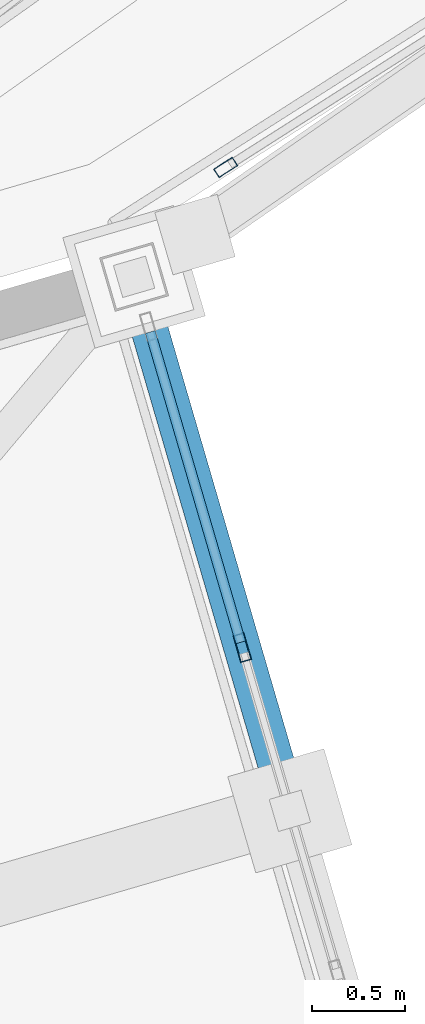
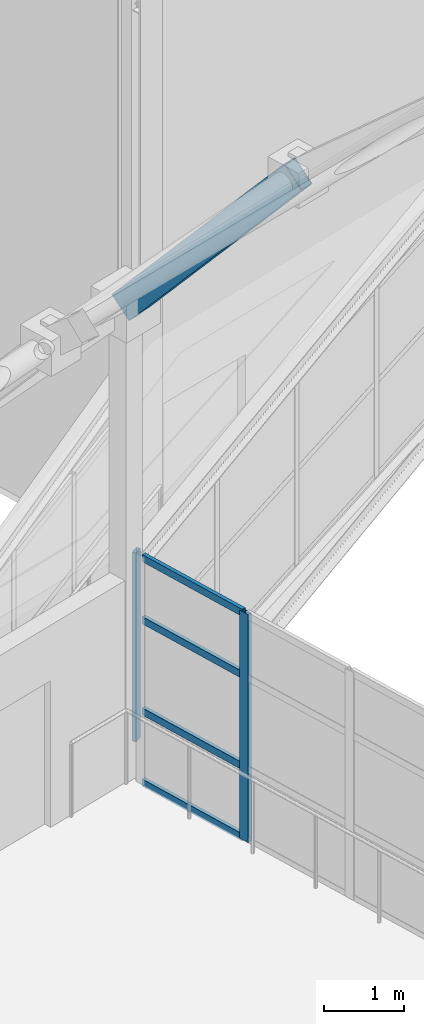
# One storey, part 130 of 248: 6 members, 1 beam, 2 elements without a shape of their own.
"""IFC4 building model written with IfcOpenShell, lengths in metres."""

from ifc_helpers import new_model, si_unit, direction, frame, origin, origin_2d, place, context, subcontext, project, spatial, hollow_rectangle, extrude, material, layer, layer_set, material_profile, profile_set, type_object, element, aggregate, save


model = new_model("IFC4")

# Units and contexts
model_context = context("Model", 3, precision=1e-05, world=origin(), true_north=direction((0.0, 1.0)))
body_context = subcontext(model_context, "Body", "Model", "MODEL_VIEW")
ifc_project = project(units=[si_unit("LENGTHUNIT", "METRE"), si_unit("AREAUNIT", "SQUARE_METRE"), si_unit("VOLUMEUNIT", "CUBIC_METRE"), si_unit("PLANEANGLEUNIT", "RADIAN"), si_unit("MASSUNIT", "GRAM", prefix="KILO")], contexts=[model_context])

# Site, building, storey
site_placement = place(None, origin())
site = spatial("IfcSite", under=ifc_project, at=site_placement, CompositionType="ELEMENT")
building_placement = place(site_placement, origin())
building = spatial("IfcBuilding", under=site, at=building_placement, Name="Canggui Botanical Conservatory", CompositionType="ELEMENT")
storey_placement = place(building_placement, frame((0.0, 0.0, 5.39990234375)))
storey = spatial("IfcBuildingStorey", under=building, at=storey_placement, Name="L02", CompositionType="ELEMENT", Elevation=5.39990234375)

# Beam
ifc_material_1 = material(Name="Steel Q355C", Category="steel")
ifc_material_profile_1 = material_profile(ifc_material_1, hollow_rectangle(XDim=0.199951171875, YDim=0.39990234375, WallThickness=0.011962890625, at=origin_2d()), Name="RHS 200x400x12")
ifc_profile_set_1 = profile_set([ifc_material_profile_1], Name="Steel Q355C")
beam_type = type_object("IfcBeamType", Name="BM-GJ04", PredefinedType="BEAM", material=ifc_profile_set_1)
beam_placement = place(storey_placement, frame((64.280029296875, 83.0400390625, 10.656005859375), z_axis=(-0.183575457107, 0.629310111024, -0.755161463338), x_axis=(-0.959989061447, -0.280037500885, 0.0)))
element("IfcBeam", 1, at=beam_placement, inside=storey, type_object=beam_type, Name="Conservatory Stepped-Arch Rib GJ-15 Segment 10", PredefinedType="BEAM", context=body_context, shape_type="SweptSolid", body=[
    extrude(hollow_rectangle(XDim=0.199951171875, YDim=0.39990234375, WallThickness=0.011962890625, at=origin_2d()), origin(), (0.0, 0.0, 1.0), 4.576171875),
])

# Curtain wall, member
ifc_material_2 = material(Name="Thermally Broken Aluminium", Category="aluminium")
ifc_layer_1 = layer(ifc_material_2, 0.14990234375, Name="Thermally Broken Aluminium", Category="aluminium")
ifc_layer_set_1 = layer_set([ifc_layer_1], Name="Thermally Broken Aluminium")
curtain_wall_type_1 = type_object("IfcCurtainWallType", Name="CW-UNIT-C", PredefinedType="USERDEFINED", material=ifc_layer_set_1)
curtain_wall_1_placement = place(storey_placement, origin())
curtain_wall_1 = element("IfcCurtainWall", 2, at=curtain_wall_1_placement, inside=storey, type_object=curtain_wall_type_1, Name="Facade Curtain Wall CW-CONS-GABLE-L02-N-05", ObjectType="UNITISED CURTAIN WALL", PredefinedType="USERDEFINED")
ifc_material_profile_2 = material_profile(ifc_material_2, hollow_rectangle(XDim=0.06005859375, YDim=0.14990234375, WallThickness=0.00341796875, at=origin_2d()), Name="CWM 60x150x3.5")
ifc_profile_set_2 = profile_set([ifc_material_profile_2], Name="Thermally Broken Aluminium")
member_type_1 = type_object("IfcMemberType", Name="CWM-03", PredefinedType="MULLION", material=ifc_profile_set_2)
member_1_placement = place(storey_placement, frame((64.0234375, 83.919921875, 0.0), z_axis=(0.0, 0.0, 1.0), x_axis=(-0.960000000002, -0.279999999995, 0.0)))
member_1 = element("IfcMember", 3, at=member_1_placement, type_object=member_type_1, Name="CW-03 mullion 3", PredefinedType="MULLION", context=body_context, shape_type="SweptSolid", body=[
    extrude(hollow_rectangle(XDim=0.06005859375, YDim=0.14990234375, WallThickness=0.00341796875, at=origin_2d()), origin(), (0.0, 0.0, 1.0), 3.5),
])

ifc_layer_2 = layer(ifc_material_2, 0.1201171875, Name="Thermally Broken Aluminium", Category="aluminium")
ifc_layer_set_2 = layer_set([ifc_layer_2], Name="Thermally Broken Aluminium")
curtain_wall_type_2 = type_object("IfcCurtainWallType", Name="CW-STICK-B", PredefinedType="USERDEFINED", material=ifc_layer_set_2)
curtain_wall_2_placement = place(storey_placement, origin())
curtain_wall_2 = element("IfcCurtainWall", 4, at=curtain_wall_2_placement, inside=storey, type_object=curtain_wall_type_2, Name="Facade Curtain Wall CW-SB-03-2", ObjectType="STICK GLAZED WALL", PredefinedType="USERDEFINED")
ifc_material_profile_3 = material_profile(ifc_material_2, hollow_rectangle(XDim=0.054931640625, YDim=0.1201171875, WallThickness=0.0029296875, at=origin_2d()), Name="CWM 55x120x3")
ifc_profile_set_3 = profile_set([ifc_material_profile_3], Name="Thermally Broken Aluminium")
member_type_2 = type_object("IfcMemberType", Name="CWM-05", PredefinedType="MULLION", material=ifc_profile_set_3)
member_2_placement = place(storey_placement, frame((63.933837890625, 86.510009765625, 0.0), z_axis=(0.0, 0.0, 1.0), x_axis=(-0.537600449716, 0.843199713274, 0.0)))
member_2 = element("IfcMember", 5, at=member_2_placement, type_object=member_type_2, Name="CW-05 mullion 1", PredefinedType="MULLION", context=body_context, shape_type="SweptSolid", body=[
    extrude(hollow_rectangle(XDim=0.054931640625, YDim=0.1201171875, WallThickness=0.0029296875, at=origin_2d()), origin(), (0.0, 0.0, 1.0), 2.900146484375),
])
aggregate(curtain_wall_2, [member_2])

# Member
ifc_material_profile_4 = material_profile(ifc_material_2, hollow_rectangle(XDim=0.054931640625, YDim=0.110107421875, WallThickness=0.0029296875, at=origin_2d()), Name="CWT 55x110x3")
ifc_profile_set_4 = profile_set([ifc_material_profile_4], Name="Thermally Broken Aluminium")
member_type_3 = type_object("IfcMemberType", Name="CWT-03", PredefinedType="USERDEFINED", material=ifc_profile_set_4)
member_3_placement = place(storey_placement, frame((64.014892578125, 83.94873046875, 0.027587890625), z_axis=(-0.279951599808, 0.960014115399, 0.0), x_axis=(-0.960014115399, -0.279951599808, 0.0)))
member_3 = element("IfcMember", 6, at=member_3_placement, type_object=member_type_3, Name="CW-03 transom 3.1", ObjectType="TRANSOM", PredefinedType="USERDEFINED", context=body_context, shape_type="SweptSolid", body=[
    extrude(hollow_rectangle(XDim=0.054931640625, YDim=0.110107421875, WallThickness=0.0029296875, at=origin_2d()), origin(), (0.0, 0.0, 1.0), 1.743408203125),
])

member_4_placement = place(storey_placement, frame((64.014892578125, 83.94873046875, 1.1201171875), z_axis=(-0.279951599808, 0.960014115399, 0.0), x_axis=(-0.960014115399, -0.279951599808, 0.0)))
member_4 = element("IfcMember", 7, at=member_4_placement, type_object=member_type_3, Name="CW-03 transom 3.2", ObjectType="TRANSOM", PredefinedType="USERDEFINED", context=body_context, shape_type="SweptSolid", body=[
    extrude(hollow_rectangle(XDim=0.054931640625, YDim=0.110107421875, WallThickness=0.0029296875, at=origin_2d()), origin(), (0.0, 0.0, 1.0), 1.743408203125),
])

member_5_placement = place(storey_placement, frame((64.014892578125, 83.94873046875, 2.52001953125), z_axis=(-0.279951599808, 0.960014115399, 0.0), x_axis=(-0.960014115399, -0.279951599808, 0.0)))
member_5 = element("IfcMember", 8, at=member_5_placement, type_object=member_type_3, Name="CW-03 transom 3.3", ObjectType="TRANSOM", PredefinedType="USERDEFINED", context=body_context, shape_type="SweptSolid", body=[
    extrude(hollow_rectangle(XDim=0.054931640625, YDim=0.110107421875, WallThickness=0.0029296875, at=origin_2d()), origin(), (0.0, 0.0, 1.0), 1.743408203125),
])

member_6_placement = place(storey_placement, frame((64.014892578125, 83.94873046875, 3.47265625), z_axis=(-0.279951599808, 0.960014115399, 0.0), x_axis=(-0.960014115399, -0.279951599808, 0.0)))
member_6 = element("IfcMember", 9, at=member_6_placement, type_object=member_type_3, Name="CW-03 transom 3.4", ObjectType="TRANSOM", PredefinedType="USERDEFINED", context=body_context, shape_type="SweptSolid", body=[
    extrude(hollow_rectangle(XDim=0.054931640625, YDim=0.110107421875, WallThickness=0.0029296875, at=origin_2d()), origin(), (0.0, 0.0, 1.0), 1.743408203125),
])

aggregate(curtain_wall_1, [member_1, member_3, member_4, member_5, member_6])

save(model, "model.ifc")
